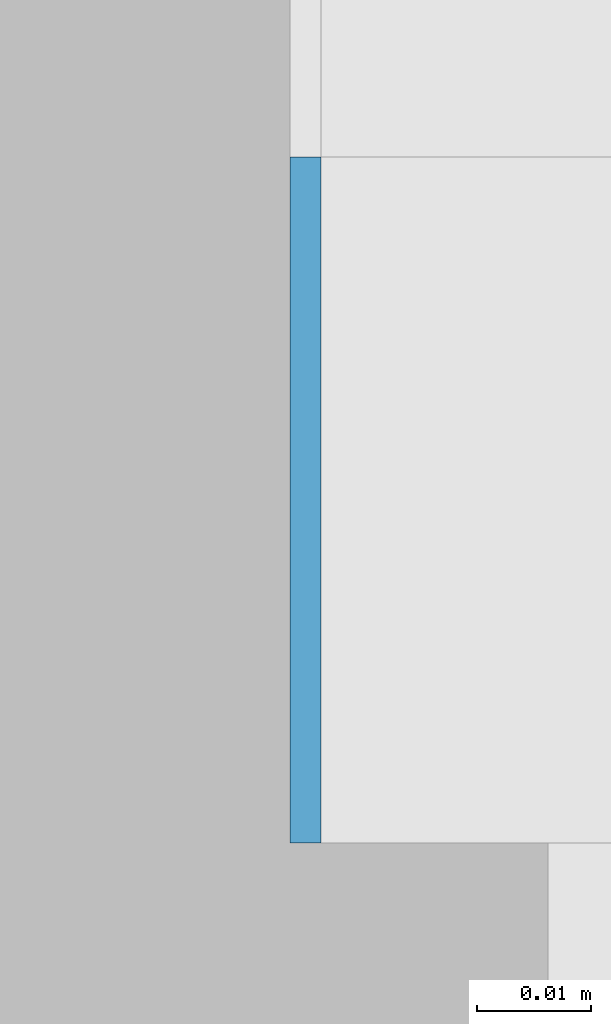
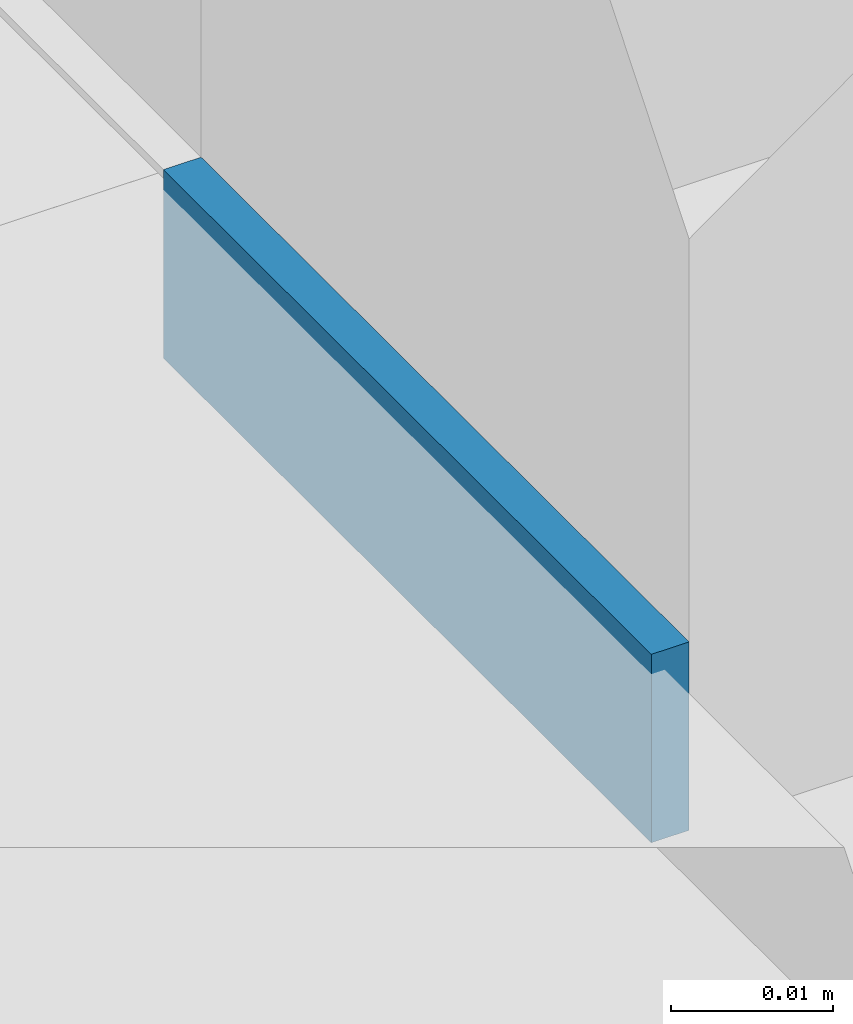
# One storey, part 588 of 646: 1 discrete accessory.
"""IFC4 building model written with IfcOpenShell, lengths in metres."""

from ifc_helpers import new_model, si_unit, direction, frame, origin, origin_2d, place, context, subcontext, project, spatial, rectangle, extrude, material, type_object, element, save


model = new_model("IFC4")

# Units and contexts
model_context = context("Model", 3, precision=1e-05, world=origin(), true_north=direction((0.0, 1.0)))
body_context = subcontext(model_context, "Body", "Model", "MODEL_VIEW")
ifc_project = project(units=[si_unit("LENGTHUNIT", "METRE"), si_unit("AREAUNIT", "SQUARE_METRE"), si_unit("VOLUMEUNIT", "CUBIC_METRE"), si_unit("PLANEANGLEUNIT", "RADIAN"), si_unit("MASSUNIT", "GRAM", prefix="KILO")], contexts=[model_context])

# Site, building, storey
site_placement = place(None, origin())
site = spatial("IfcSite", under=ifc_project, at=site_placement, CompositionType="ELEMENT")
building_placement = place(site_placement, origin())
building = spatial("IfcBuilding", under=site, at=building_placement, Name="Silverbay Arena", CompositionType="ELEMENT")
storey_placement = place(building_placement, frame((0.0, 0.0, 33.5)))
storey = spatial("IfcBuildingStorey", under=building, at=storey_placement, Name="L05", CompositionType="ELEMENT", Elevation=33.5)

# Discrete accessory
ifc_material = material(Name="Steel S355", Category="steel")
discrete_accessory_type = type_object("IfcDiscreteAccessoryType", Name="Steel bracket plate", PredefinedType="BRACKET", material=ifc_material)
discrete_accessory_placement = place(storey_placement, frame((207.128662109375, 116.969970703125, 4.0), z_axis=(0.0, 0.0, 1.0), x_axis=(1.0, 0.0, 0.0)))
element("IfcDiscreteAccessory", 1, at=discrete_accessory_placement, inside=storey, type_object=discrete_accessory_type, Name="Curtain wall packing plate", PredefinedType="BRACKET", context=body_context, shape_type="SweptSolid", body=[
    extrude(rectangle(XDim=0.002685546875, YDim=0.06005859375, at=origin_2d()), origin(), (0.0, 0.0, 1.0), 0.01416015625),
])

save(model, "model.ifc")
